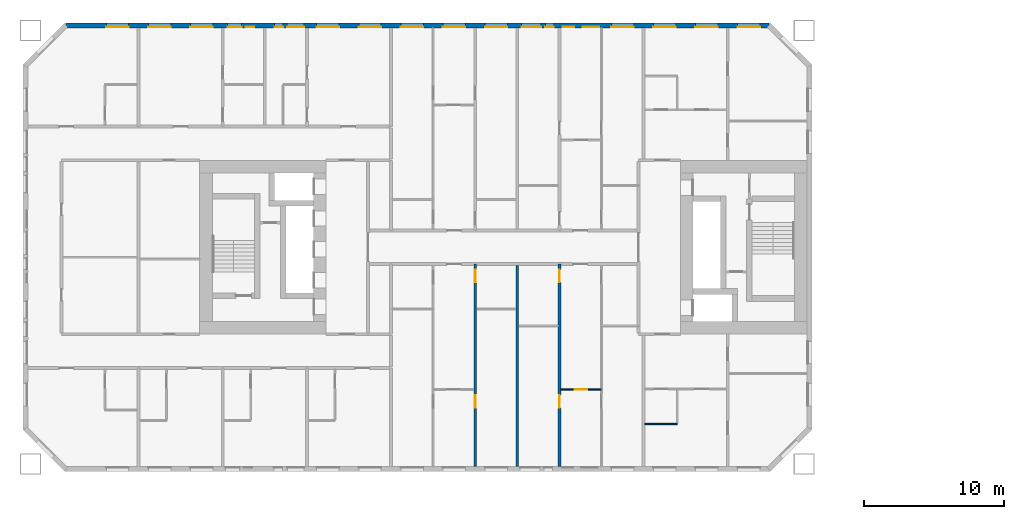
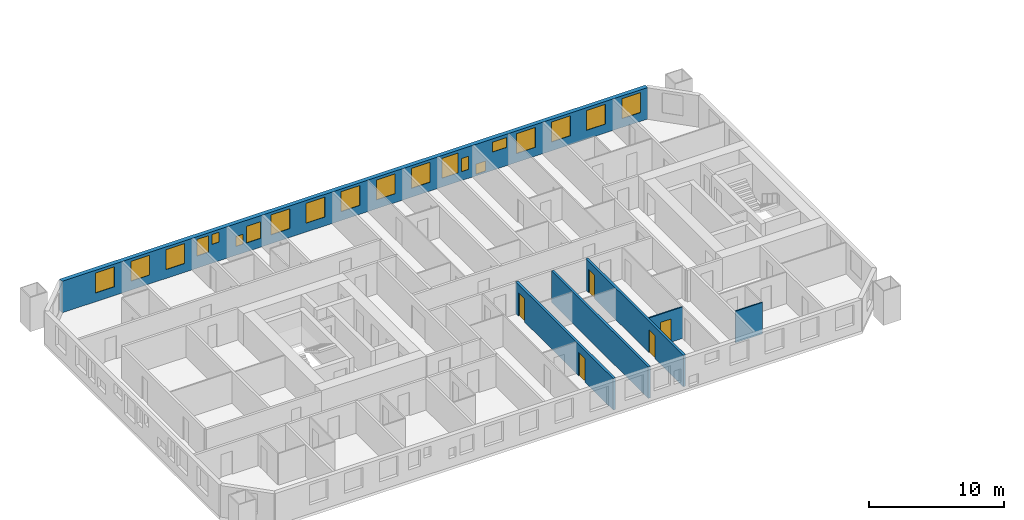
# One storey, part 6 of 17: 20 windows, 6 walls, 5 doors, 25 openings.
"""IFC4 building model written with IfcOpenShell, lengths in metres."""

from ifc_helpers import new_model, si_unit, direction, frame, frame_2d, origin, place, context, subcontext, project, spatial, rectangle, extrude, material, layer, layer_set, type_object, element, fill, save


model = new_model("IFC4")

# Units and contexts
model_context = context("Model", 3, precision=1e-05, world=origin(), true_north=direction((0.0, 1.0)))
body_context = subcontext(model_context, "Body", "Model", "MODEL_VIEW")
ifc_project = project(units=[si_unit("LENGTHUNIT", "METRE"), si_unit("AREAUNIT", "SQUARE_METRE"), si_unit("VOLUMEUNIT", "CUBIC_METRE"), si_unit("PLANEANGLEUNIT", "RADIAN"), si_unit("MASSUNIT", "GRAM", prefix="KILO")], contexts=[model_context])

# Site, building, storey
site_placement = place(None, origin())
site = spatial("IfcSite", under=ifc_project, at=site_placement, CompositionType="ELEMENT")
building_placement = place(site_placement, origin())
building = spatial("IfcBuilding", under=site, at=building_placement, Name="Tuart Gate Housing", CompositionType="ELEMENT")
storey_placement = place(building_placement, frame((0.0, 0.0, 28.800048828125)))
storey = spatial("IfcBuildingStorey", under=building, at=storey_placement, Name="L07", CompositionType="ELEMENT", Elevation=28.800048828125)

# Wall, openings, windows
ifc_material_1 = material(Name="Brick", Category="masonry")
ifc_layer_1 = layer(ifc_material_1, 0.360107421875)
ifc_layer_set_1 = layer_set([ifc_layer_1], Name="Brick pier and spandrel wall 360")
wall_type_1 = type_object("IfcWallType", Name="Brick pier and spandrel wall 360", PredefinedType="STANDARD", material=ifc_layer_set_1)
wall_1_placement = place(storey_placement, frame((72.92529296875, 85.820068359375, 0.0), z_axis=(0.0, 0.0, 1.0), x_axis=(-1.0, 0.0, 0.0)))
wall_1 = element("IfcWall", 1, at=wall_1_placement, inside=storey, type_object=wall_type_1, Name="External wall A-N L07", PredefinedType="STANDARD", context=body_context, shape_type="SweptSolid", body=[
    extrude(rectangle(XDim=50.100830078125, YDim=0.360107421875, at=frame_2d((25.05029296875, 0.0))), origin(), (0.0, 0.0, 1.0), 2.849853515625),
])
opening_1_placement = place(wall_1_placement, frame((0.62548828125, 0.0, 0.800048828125)))
opening_1 = element("IfcOpeningElement", 2, at=opening_1_placement, cuts=wall_1, Name="Opening W1", PredefinedType="OPENING", context=body_context, shape_type="SweptSolid", body=[
    extrude(rectangle(XDim=1.60009765625, YDim=1.800048828125, at=frame_2d((0.800048828125, 0.89990234375))), frame((0.0, 0.18994140625, 0.0), z_axis=(0.0, -1.0, 0.0), x_axis=(1.0, 0.0, 0.0)), (0.0, 0.0, 1.0), 0.380126953125),
])
opening_2_placement = place(wall_1_placement, frame((3.62548828125, 0.0, 0.800048828125)))
opening_2 = element("IfcOpeningElement", 3, at=opening_2_placement, cuts=wall_1, Name="Opening W1", PredefinedType="OPENING", context=body_context, shape_type="SweptSolid", body=[
    extrude(rectangle(XDim=1.60009765625, YDim=1.800048828125, at=frame_2d((0.800048828125, 0.89990234375))), frame((0.0, 0.18994140625, 0.0), z_axis=(0.0, -1.0, 0.0), x_axis=(1.0, 0.0, 0.0)), (0.0, 0.0, 1.0), 0.380126953125),
])
opening_3_placement = place(wall_1_placement, frame((6.62548828125, 0.0, 0.800048828125)))
opening_3 = element("IfcOpeningElement", 4, at=opening_3_placement, cuts=wall_1, Name="Opening W1", PredefinedType="OPENING", context=body_context, shape_type="SweptSolid", body=[
    extrude(rectangle(XDim=1.60009765625, YDim=1.800048828125, at=frame_2d((0.800048828125, 0.89990234375))), frame((0.0, 0.18994140625, 0.0), z_axis=(0.0, -1.0, 0.0), x_axis=(1.0, 0.0, 0.0)), (0.0, 0.0, 1.0), 0.380126953125),
])
opening_4_placement = place(wall_1_placement, frame((9.62548828125, 0.0, 0.800048828125)))
opening_4 = element("IfcOpeningElement", 5, at=opening_4_placement, cuts=wall_1, Name="Opening W1", PredefinedType="OPENING", context=body_context, shape_type="SweptSolid", body=[
    extrude(rectangle(XDim=1.60009765625, YDim=1.800048828125, at=frame_2d((0.800048828125, 0.89990234375))), frame((0.0, 0.18994140625, 0.0), z_axis=(0.0, -1.0, 0.0), x_axis=(1.0, 0.0, 0.0)), (0.0, 0.0, 1.0), 0.380126953125),
])
opening_5_placement = place(wall_1_placement, frame((12.075439453125, 0.0, 1.64990234375)))
opening_5 = element("IfcOpeningElement", 6, at=opening_5_placement, cuts=wall_1, Name="Opening W1T", PredefinedType="OPENING", context=body_context, shape_type="SweptSolid", body=[
    extrude(rectangle(XDim=1.199951171875, YDim=0.89990234375, at=frame_2d((0.60009765625, 0.449951171875))), frame((0.0, 0.18994140625, 0.0), z_axis=(0.0, -1.0, 0.0), x_axis=(1.0, 0.0, 0.0)), (0.0, 0.0, 1.0), 0.380126953125),
])
opening_6_placement = place(wall_1_placement, frame((15.325439453125, 0.0, 0.800048828125)))
opening_6 = element("IfcOpeningElement", 7, at=opening_6_placement, cuts=wall_1, Name="Opening W1Q", PredefinedType="OPENING", context=body_context, shape_type="SweptSolid", body=[
    extrude(rectangle(XDim=0.60009765625, YDim=1.199951171875, at=frame_2d((0.300048828125, 0.60009765625))), frame((0.0, 0.18994140625, 0.0), z_axis=(0.0, -1.0, 0.0), x_axis=(1.0, 0.0, 0.0)), (0.0, 0.0, 1.0), 0.380126953125),
])
opening_7_placement = place(wall_1_placement, frame((18.62548828125, 0.0, 0.800048828125)))
opening_7 = element("IfcOpeningElement", 8, at=opening_7_placement, cuts=wall_1, Name="Opening W1", PredefinedType="OPENING", context=body_context, shape_type="SweptSolid", body=[
    extrude(rectangle(XDim=1.60009765625, YDim=1.800048828125, at=frame_2d((0.800048828125, 0.89990234375))), frame((0.0, 0.18994140625, 0.0), z_axis=(0.0, -1.0, 0.0), x_axis=(1.0, 0.0, 0.0)), (0.0, 0.0, 1.0), 0.380126953125),
])
opening_8_placement = place(wall_1_placement, frame((21.62548828125, 0.0, 0.800048828125)))
opening_8 = element("IfcOpeningElement", 9, at=opening_8_placement, cuts=wall_1, Name="Opening W1", PredefinedType="OPENING", context=body_context, shape_type="SweptSolid", body=[
    extrude(rectangle(XDim=1.60009765625, YDim=1.800048828125, at=frame_2d((0.800048828125, 0.89990234375))), frame((0.0, 0.18994140625, 0.0), z_axis=(0.0, -1.0, 0.0), x_axis=(1.0, 0.0, 0.0)), (0.0, 0.0, 1.0), 0.380126953125),
])
opening_9_placement = place(wall_1_placement, frame((24.62548828125, 0.0, 0.800048828125)))
opening_9 = element("IfcOpeningElement", 10, at=opening_9_placement, cuts=wall_1, Name="Opening W1", PredefinedType="OPENING", context=body_context, shape_type="SweptSolid", body=[
    extrude(rectangle(XDim=1.60009765625, YDim=1.800048828125, at=frame_2d((0.800048828125, 0.89990234375))), frame((0.0, 0.18994140625, 0.0), z_axis=(0.0, -1.0, 0.0), x_axis=(1.0, 0.0, 0.0)), (0.0, 0.0, 1.0), 0.380126953125),
])
opening_10_placement = place(wall_1_placement, frame((27.62548828125, 0.0, 0.800048828125)))
opening_10 = element("IfcOpeningElement", 11, at=opening_10_placement, cuts=wall_1, Name="Opening W1", PredefinedType="OPENING", context=body_context, shape_type="SweptSolid", body=[
    extrude(rectangle(XDim=1.60009765625, YDim=1.800048828125, at=frame_2d((0.800048828125, 0.89990234375))), frame((0.0, 0.18994140625, 0.0), z_axis=(0.0, -1.0, 0.0), x_axis=(1.0, 0.0, 0.0)), (0.0, 0.0, 1.0), 0.380126953125),
])
opening_11_placement = place(wall_1_placement, frame((30.62548828125, 0.0, 0.800048828125)))
opening_11 = element("IfcOpeningElement", 12, at=opening_11_placement, cuts=wall_1, Name="Opening W1", PredefinedType="OPENING", context=body_context, shape_type="SweptSolid", body=[
    extrude(rectangle(XDim=1.60009765625, YDim=1.800048828125, at=frame_2d((0.800048828125, 0.89990234375))), frame((0.0, 0.18994140625, 0.0), z_axis=(0.0, -1.0, 0.0), x_axis=(1.0, 0.0, 0.0)), (0.0, 0.0, 1.0), 0.380126953125),
])
opening_12_placement = place(wall_1_placement, frame((33.12548828125, 0.0, 0.800048828125)))
opening_12 = element("IfcOpeningElement", 13, at=opening_12_placement, cuts=wall_1, Name="Opening W1H", PredefinedType="OPENING", context=body_context, shape_type="SweptSolid", body=[
    extrude(rectangle(XDim=1.199951171875, YDim=1.5, at=frame_2d((0.60009765625, 0.75))), frame((0.0, 0.18994140625, 0.0), z_axis=(0.0, -1.0, 0.0), x_axis=(1.0, 0.0, 0.0)), (0.0, 0.0, 1.0), 0.380126953125),
])
opening_13_placement = place(wall_1_placement, frame((36.67529296875, 0.0, 1.699951171875)))
opening_13 = element("IfcOpeningElement", 14, at=opening_13_placement, cuts=wall_1, Name="Opening W1W", PredefinedType="OPENING", context=body_context, shape_type="SweptSolid", body=[
    extrude(rectangle(XDim=0.60009765625, YDim=0.89990234375, at=frame_2d((0.300048828125, 0.449951171875))), frame((0.0, 0.18994140625, 0.0), z_axis=(0.0, -1.0, 0.0), x_axis=(1.0, 0.0, 0.0)), (0.0, 0.0, 1.0), 0.380126953125),
])
opening_14_placement = place(wall_1_placement, frame((39.62548828125, 0.0, 0.800048828125)))
opening_14 = element("IfcOpeningElement", 15, at=opening_14_placement, cuts=wall_1, Name="Opening W1", PredefinedType="OPENING", context=body_context, shape_type="SweptSolid", body=[
    extrude(rectangle(XDim=1.60009765625, YDim=1.800048828125, at=frame_2d((0.800048828125, 0.89990234375))), frame((0.0, 0.18994140625, 0.0), z_axis=(0.0, -1.0, 0.0), x_axis=(1.0, 0.0, 0.0)), (0.0, 0.0, 1.0), 0.380126953125),
])
opening_15_placement = place(wall_1_placement, frame((42.62548828125, 0.0, 0.800048828125)))
opening_15 = element("IfcOpeningElement", 16, at=opening_15_placement, cuts=wall_1, Name="Opening W1", PredefinedType="OPENING", context=body_context, shape_type="SweptSolid", body=[
    extrude(rectangle(XDim=1.60009765625, YDim=1.800048828125, at=frame_2d((0.800048828125, 0.89990234375))), frame((0.0, 0.18994140625, 0.0), z_axis=(0.0, -1.0, 0.0), x_axis=(1.0, 0.0, 0.0)), (0.0, 0.0, 1.0), 0.380126953125),
])
opening_16_placement = place(wall_1_placement, frame((45.62548828125, 0.0, 0.800048828125)))
opening_16 = element("IfcOpeningElement", 17, at=opening_16_placement, cuts=wall_1, Name="Opening W1", PredefinedType="OPENING", context=body_context, shape_type="SweptSolid", body=[
    extrude(rectangle(XDim=1.60009765625, YDim=1.800048828125, at=frame_2d((0.800048828125, 0.89990234375))), frame((0.0, 0.18994140625, 0.0), z_axis=(0.0, -1.0, 0.0), x_axis=(1.0, 0.0, 0.0)), (0.0, 0.0, 1.0), 0.380126953125),
])
opening_17_placement = place(wall_1_placement, frame((13.87548828125, 0.0, 0.14990234375)))
opening_17 = element("IfcOpeningElement", 18, at=opening_17_placement, cuts=wall_1, Name="Opening W1V", PredefinedType="OPENING", context=body_context, shape_type="SweptSolid", body=[
    extrude(rectangle(XDim=0.800048828125, YDim=0.89990234375, at=frame_2d((0.39990234375, 0.449951171875))), frame((0.0, 0.18994140625, 0.0), z_axis=(0.0, -1.0, 0.0), x_axis=(1.0, 0.0, 0.0)), (0.0, 0.0, 1.0), 0.380126953125),
])
opening_18_placement = place(wall_1_placement, frame((16.225341796875, 0.0, 0.800048828125)))
opening_18 = element("IfcOpeningElement", 19, at=opening_18_placement, cuts=wall_1, Name="Opening W1A", PredefinedType="OPENING", context=body_context, shape_type="SweptSolid", body=[
    extrude(rectangle(XDim=1.39990234375, YDim=1.800048828125, at=frame_2d((0.699951171875, 0.89990234375))), frame((0.0, 0.18994140625, 0.0), z_axis=(0.0, -1.0, 0.0), x_axis=(1.0, 0.0, 0.0)), (0.0, 0.0, 1.0), 0.380126953125),
])
opening_19_placement = place(wall_1_placement, frame((34.62548828125, 0.0, 0.800048828125)))
opening_19 = element("IfcOpeningElement", 20, at=opening_19_placement, cuts=wall_1, Name="Opening W1W", PredefinedType="OPENING", context=body_context, shape_type="SweptSolid", body=[
    extrude(rectangle(XDim=0.60009765625, YDim=0.89990234375, at=frame_2d((0.300048828125, 0.449951171875))), frame((0.0, 0.18994140625, 0.0), z_axis=(0.0, -1.0, 0.0), x_axis=(1.0, 0.0, 0.0)), (0.0, 0.0, 1.0), 0.380126953125),
])
opening_20_placement = place(wall_1_placement, frame((37.575439453125, 0.0, 1.10009765625)))
opening_20 = element("IfcOpeningElement", 21, at=opening_20_placement, cuts=wall_1, Name="Opening W1I", PredefinedType="OPENING", context=body_context, shape_type="SweptSolid", body=[
    extrude(rectangle(XDim=1.0, YDim=1.5, at=frame_2d((0.5, 0.75))), frame((0.0, 0.18994140625, 0.0), z_axis=(0.0, -1.0, 0.0), x_axis=(1.0, 0.0, 0.0)), (0.0, 0.0, 1.0), 0.380126953125),
])
ifc_material_2 = material(Name="Aluminium frame with clear glass", Category="aluminium")
window_type_1 = type_object("IfcWindowType", Name="Punched window 1000 x 1500", PartitioningType="SINGLE_PANEL", PredefinedType="WINDOW", material=ifc_material_2)
window_1_placement = place(opening_20_placement, origin())
window_1 = element("IfcWindow", 22, at=window_1_placement, inside=storey, type_object=window_type_1, Name="Window W1I", OverallHeight=1.5, OverallWidth=1.0, PartitioningType="SINGLE_PANEL", PredefinedType="WINDOW", context=body_context, shape_type="SweptSolid", body=[
    extrude(rectangle(XDim=1.0, YDim=1.5, at=frame_2d((0.5, 0.75))), frame((0.0, 0.150146484375, 0.0), z_axis=(0.0, -1.0, 0.0), x_axis=(1.0, 0.0, 0.0)), (0.0, 0.0, 1.0), 0.06005859375),
])
fill(opening_20, window_1)
ifc_material_3 = material(Name="Aluminium frame with clear glass", Category="aluminium")
window_type_2 = type_object("IfcWindowType", Name="Punched window 1200 x 1500", PartitioningType="SINGLE_PANEL", PredefinedType="WINDOW", material=ifc_material_3)
window_2_placement = place(opening_12_placement, origin())
window_2 = element("IfcWindow", 23, at=window_2_placement, inside=storey, type_object=window_type_2, Name="Window W1H", OverallHeight=1.5, OverallWidth=1.199951171875, PartitioningType="SINGLE_PANEL", PredefinedType="WINDOW", context=body_context, shape_type="SweptSolid", body=[
    extrude(rectangle(XDim=1.199951171875, YDim=1.5, at=frame_2d((0.60009765625, 0.75))), frame((0.0, 0.150146484375, 0.0), z_axis=(0.0, -1.0, 0.0), x_axis=(1.0, 0.0, 0.0)), (0.0, 0.0, 1.0), 0.06005859375),
])
fill(opening_12, window_2)
ifc_material_4 = material(Name="Aluminium frame with clear glass", Category="aluminium")
window_type_3 = type_object("IfcWindowType", Name="Punched window 1200 x 900", PartitioningType="SINGLE_PANEL", PredefinedType="WINDOW", material=ifc_material_4)
window_3_placement = place(opening_5_placement, origin())
window_3 = element("IfcWindow", 24, at=window_3_placement, inside=storey, type_object=window_type_3, Name="Window W1T", OverallHeight=0.89990234375, OverallWidth=1.199951171875, PartitioningType="SINGLE_PANEL", PredefinedType="WINDOW", context=body_context, shape_type="SweptSolid", body=[
    extrude(rectangle(XDim=1.199951171875, YDim=0.89990234375, at=frame_2d((0.60009765625, 0.449951171875))), frame((0.0, 0.150146484375, 0.0), z_axis=(0.0, -1.0, 0.0), x_axis=(1.0, 0.0, 0.0)), (0.0, 0.0, 1.0), 0.06005859375),
])
fill(opening_5, window_3)
ifc_material_5 = material(Name="Aluminium frame with clear glass", Category="aluminium")
window_type_4 = type_object("IfcWindowType", Name="Punched window 1400 x 1800", PartitioningType="SINGLE_PANEL", PredefinedType="WINDOW", material=ifc_material_5)
window_4_placement = place(opening_18_placement, origin())
window_4 = element("IfcWindow", 25, at=window_4_placement, inside=storey, type_object=window_type_4, Name="Window W1A", OverallHeight=1.800048828125, OverallWidth=1.39990234375, PartitioningType="SINGLE_PANEL", PredefinedType="WINDOW", context=body_context, shape_type="SweptSolid", body=[
    extrude(rectangle(XDim=1.39990234375, YDim=1.800048828125, at=frame_2d((0.699951171875, 0.89990234375))), frame((0.0, 0.150146484375, 0.0), z_axis=(0.0, -1.0, 0.0), x_axis=(1.0, 0.0, 0.0)), (0.0, 0.0, 1.0), 0.06005859375),
])
fill(opening_18, window_4)
ifc_material_6 = material(Name="Aluminium frame with clear glass", Category="aluminium")
window_type_5 = type_object("IfcWindowType", Name="Punched window 1600 x 1800", PartitioningType="SINGLE_PANEL", PredefinedType="WINDOW", material=ifc_material_6)
window_5_placement = place(opening_1_placement, origin())
window_5 = element("IfcWindow", 26, at=window_5_placement, inside=storey, type_object=window_type_5, Name="Window W1", OverallHeight=1.800048828125, OverallWidth=1.60009765625, PartitioningType="SINGLE_PANEL", PredefinedType="WINDOW", context=body_context, shape_type="SweptSolid", body=[
    extrude(rectangle(XDim=1.60009765625, YDim=1.800048828125, at=frame_2d((0.800048828125, 0.89990234375))), frame((0.0, 0.150146484375, 0.0), z_axis=(0.0, -1.0, 0.0), x_axis=(1.0, 0.0, 0.0)), (0.0, 0.0, 1.0), 0.06005859375),
])
fill(opening_1, window_5)
window_6_placement = place(opening_2_placement, origin())
window_6 = element("IfcWindow", 27, at=window_6_placement, inside=storey, type_object=window_type_5, Name="Window W1", OverallHeight=1.800048828125, OverallWidth=1.60009765625, PartitioningType="SINGLE_PANEL", PredefinedType="WINDOW", context=body_context, shape_type="SweptSolid", body=[
    extrude(rectangle(XDim=1.60009765625, YDim=1.800048828125, at=frame_2d((0.800048828125, 0.89990234375))), frame((0.0, 0.150146484375, 0.0), z_axis=(0.0, -1.0, 0.0), x_axis=(1.0, 0.0, 0.0)), (0.0, 0.0, 1.0), 0.06005859375),
])
fill(opening_2, window_6)
window_7_placement = place(opening_3_placement, origin())
window_7 = element("IfcWindow", 28, at=window_7_placement, inside=storey, type_object=window_type_5, Name="Window W1", OverallHeight=1.800048828125, OverallWidth=1.60009765625, PartitioningType="SINGLE_PANEL", PredefinedType="WINDOW", context=body_context, shape_type="SweptSolid", body=[
    extrude(rectangle(XDim=1.60009765625, YDim=1.800048828125, at=frame_2d((0.800048828125, 0.89990234375))), frame((0.0, 0.150146484375, 0.0), z_axis=(0.0, -1.0, 0.0), x_axis=(1.0, 0.0, 0.0)), (0.0, 0.0, 1.0), 0.06005859375),
])
fill(opening_3, window_7)
window_8_placement = place(opening_4_placement, origin())
window_8 = element("IfcWindow", 29, at=window_8_placement, inside=storey, type_object=window_type_5, Name="Window W1", OverallHeight=1.800048828125, OverallWidth=1.60009765625, PartitioningType="SINGLE_PANEL", PredefinedType="WINDOW", context=body_context, shape_type="SweptSolid", body=[
    extrude(rectangle(XDim=1.60009765625, YDim=1.800048828125, at=frame_2d((0.800048828125, 0.89990234375))), frame((0.0, 0.150146484375, 0.0), z_axis=(0.0, -1.0, 0.0), x_axis=(1.0, 0.0, 0.0)), (0.0, 0.0, 1.0), 0.06005859375),
])
fill(opening_4, window_8)
window_9_placement = place(opening_7_placement, origin())
window_9 = element("IfcWindow", 30, at=window_9_placement, inside=storey, type_object=window_type_5, Name="Window W1", OverallHeight=1.800048828125, OverallWidth=1.60009765625, PartitioningType="SINGLE_PANEL", PredefinedType="WINDOW", context=body_context, shape_type="SweptSolid", body=[
    extrude(rectangle(XDim=1.60009765625, YDim=1.800048828125, at=frame_2d((0.800048828125, 0.89990234375))), frame((0.0, 0.150146484375, 0.0), z_axis=(0.0, -1.0, 0.0), x_axis=(1.0, 0.0, 0.0)), (0.0, 0.0, 1.0), 0.06005859375),
])
fill(opening_7, window_9)
window_10_placement = place(opening_8_placement, origin())
window_10 = element("IfcWindow", 31, at=window_10_placement, inside=storey, type_object=window_type_5, Name="Window W1", OverallHeight=1.800048828125, OverallWidth=1.60009765625, PartitioningType="SINGLE_PANEL", PredefinedType="WINDOW", context=body_context, shape_type="SweptSolid", body=[
    extrude(rectangle(XDim=1.60009765625, YDim=1.800048828125, at=frame_2d((0.800048828125, 0.89990234375))), frame((0.0, 0.150146484375, 0.0), z_axis=(0.0, -1.0, 0.0), x_axis=(1.0, 0.0, 0.0)), (0.0, 0.0, 1.0), 0.06005859375),
])
fill(opening_8, window_10)
window_11_placement = place(opening_9_placement, origin())
window_11 = element("IfcWindow", 32, at=window_11_placement, inside=storey, type_object=window_type_5, Name="Window W1", OverallHeight=1.800048828125, OverallWidth=1.60009765625, PartitioningType="SINGLE_PANEL", PredefinedType="WINDOW", context=body_context, shape_type="SweptSolid", body=[
    extrude(rectangle(XDim=1.60009765625, YDim=1.800048828125, at=frame_2d((0.800048828125, 0.89990234375))), frame((0.0, 0.150146484375, 0.0), z_axis=(0.0, -1.0, 0.0), x_axis=(1.0, 0.0, 0.0)), (0.0, 0.0, 1.0), 0.06005859375),
])
fill(opening_9, window_11)
window_12_placement = place(opening_10_placement, origin())
window_12 = element("IfcWindow", 33, at=window_12_placement, inside=storey, type_object=window_type_5, Name="Window W1", OverallHeight=1.800048828125, OverallWidth=1.60009765625, PartitioningType="SINGLE_PANEL", PredefinedType="WINDOW", context=body_context, shape_type="SweptSolid", body=[
    extrude(rectangle(XDim=1.60009765625, YDim=1.800048828125, at=frame_2d((0.800048828125, 0.89990234375))), frame((0.0, 0.150146484375, 0.0), z_axis=(0.0, -1.0, 0.0), x_axis=(1.0, 0.0, 0.0)), (0.0, 0.0, 1.0), 0.06005859375),
])
fill(opening_10, window_12)
window_13_placement = place(opening_11_placement, origin())
window_13 = element("IfcWindow", 34, at=window_13_placement, inside=storey, type_object=window_type_5, Name="Window W1", OverallHeight=1.800048828125, OverallWidth=1.60009765625, PartitioningType="SINGLE_PANEL", PredefinedType="WINDOW", context=body_context, shape_type="SweptSolid", body=[
    extrude(rectangle(XDim=1.60009765625, YDim=1.800048828125, at=frame_2d((0.800048828125, 0.89990234375))), frame((0.0, 0.150146484375, 0.0), z_axis=(0.0, -1.0, 0.0), x_axis=(1.0, 0.0, 0.0)), (0.0, 0.0, 1.0), 0.06005859375),
])
fill(opening_11, window_13)
window_14_placement = place(opening_14_placement, origin())
window_14 = element("IfcWindow", 35, at=window_14_placement, inside=storey, type_object=window_type_5, Name="Window W1", OverallHeight=1.800048828125, OverallWidth=1.60009765625, PartitioningType="SINGLE_PANEL", PredefinedType="WINDOW", context=body_context, shape_type="SweptSolid", body=[
    extrude(rectangle(XDim=1.60009765625, YDim=1.800048828125, at=frame_2d((0.800048828125, 0.89990234375))), frame((0.0, 0.150146484375, 0.0), z_axis=(0.0, -1.0, 0.0), x_axis=(1.0, 0.0, 0.0)), (0.0, 0.0, 1.0), 0.06005859375),
])
fill(opening_14, window_14)
window_15_placement = place(opening_15_placement, origin())
window_15 = element("IfcWindow", 36, at=window_15_placement, inside=storey, type_object=window_type_5, Name="Window W1", OverallHeight=1.800048828125, OverallWidth=1.60009765625, PartitioningType="SINGLE_PANEL", PredefinedType="WINDOW", context=body_context, shape_type="SweptSolid", body=[
    extrude(rectangle(XDim=1.60009765625, YDim=1.800048828125, at=frame_2d((0.800048828125, 0.89990234375))), frame((0.0, 0.150146484375, 0.0), z_axis=(0.0, -1.0, 0.0), x_axis=(1.0, 0.0, 0.0)), (0.0, 0.0, 1.0), 0.06005859375),
])
fill(opening_15, window_15)
window_16_placement = place(opening_16_placement, origin())
window_16 = element("IfcWindow", 37, at=window_16_placement, inside=storey, type_object=window_type_5, Name="Window W1", OverallHeight=1.800048828125, OverallWidth=1.60009765625, PartitioningType="SINGLE_PANEL", PredefinedType="WINDOW", context=body_context, shape_type="SweptSolid", body=[
    extrude(rectangle(XDim=1.60009765625, YDim=1.800048828125, at=frame_2d((0.800048828125, 0.89990234375))), frame((0.0, 0.150146484375, 0.0), z_axis=(0.0, -1.0, 0.0), x_axis=(1.0, 0.0, 0.0)), (0.0, 0.0, 1.0), 0.06005859375),
])
fill(opening_16, window_16)
ifc_material_7 = material(Name="Aluminium frame with clear glass", Category="aluminium")
window_type_6 = type_object("IfcWindowType", Name="Punched window 600 x 1200", PartitioningType="SINGLE_PANEL", PredefinedType="WINDOW", material=ifc_material_7)
window_17_placement = place(opening_6_placement, origin())
window_17 = element("IfcWindow", 38, at=window_17_placement, inside=storey, type_object=window_type_6, Name="Window W1Q", OverallHeight=1.199951171875, OverallWidth=0.60009765625, PartitioningType="SINGLE_PANEL", PredefinedType="WINDOW", context=body_context, shape_type="SweptSolid", body=[
    extrude(rectangle(XDim=0.60009765625, YDim=1.199951171875, at=frame_2d((0.300048828125, 0.60009765625))), frame((0.0, 0.150146484375, 0.0), z_axis=(0.0, -1.0, 0.0), x_axis=(1.0, 0.0, 0.0)), (0.0, 0.0, 1.0), 0.06005859375),
])
fill(opening_6, window_17)
ifc_material_8 = material(Name="Aluminium frame with clear glass", Category="aluminium")
window_type_7 = type_object("IfcWindowType", Name="Punched window 600 x 900", PartitioningType="SINGLE_PANEL", PredefinedType="WINDOW", material=ifc_material_8)
window_18_placement = place(opening_13_placement, origin())
window_18 = element("IfcWindow", 39, at=window_18_placement, inside=storey, type_object=window_type_7, Name="Window W1W", OverallHeight=0.89990234375, OverallWidth=0.60009765625, PartitioningType="SINGLE_PANEL", PredefinedType="WINDOW", context=body_context, shape_type="SweptSolid", body=[
    extrude(rectangle(XDim=0.60009765625, YDim=0.89990234375, at=frame_2d((0.300048828125, 0.449951171875))), frame((0.0, 0.150146484375, 0.0), z_axis=(0.0, -1.0, 0.0), x_axis=(1.0, 0.0, 0.0)), (0.0, 0.0, 1.0), 0.06005859375),
])
fill(opening_13, window_18)
window_19_placement = place(opening_19_placement, origin())
window_19 = element("IfcWindow", 40, at=window_19_placement, inside=storey, type_object=window_type_7, Name="Window W1W", OverallHeight=0.89990234375, OverallWidth=0.60009765625, PartitioningType="SINGLE_PANEL", PredefinedType="WINDOW", context=body_context, shape_type="SweptSolid", body=[
    extrude(rectangle(XDim=0.60009765625, YDim=0.89990234375, at=frame_2d((0.300048828125, 0.449951171875))), frame((0.0, 0.150146484375, 0.0), z_axis=(0.0, -1.0, 0.0), x_axis=(1.0, 0.0, 0.0)), (0.0, 0.0, 1.0), 0.06005859375),
])
fill(opening_19, window_19)
ifc_material_9 = material(Name="Aluminium frame with clear glass", Category="aluminium")
window_type_8 = type_object("IfcWindowType", Name="Punched window 800 x 900", PartitioningType="SINGLE_PANEL", PredefinedType="WINDOW", material=ifc_material_9)
window_20_placement = place(opening_17_placement, origin())
window_20 = element("IfcWindow", 41, at=window_20_placement, inside=storey, type_object=window_type_8, Name="Window W1V", OverallHeight=0.89990234375, OverallWidth=0.800048828125, PartitioningType="SINGLE_PANEL", PredefinedType="WINDOW", context=body_context, shape_type="SweptSolid", body=[
    extrude(rectangle(XDim=0.800048828125, YDim=0.89990234375, at=frame_2d((0.39990234375, 0.449951171875))), frame((0.0, 0.150146484375, 0.0), z_axis=(0.0, -1.0, 0.0), x_axis=(1.0, 0.0, 0.0)), (0.0, 0.0, 1.0), 0.06005859375),
])
fill(opening_17, window_20)

# Wall
ifc_material_10 = material(Name="Gypsum board on steel studs", Category="steel")
ifc_layer_2 = layer(ifc_material_10, 0.10009765625)
ifc_layer_set_2 = layer_set([ifc_layer_2], Name="Partition 100")
wall_type_2 = type_object("IfcWallType", Name="Partition 100", PredefinedType="PARTITIONING", material=ifc_layer_set_2)
wall_2_placement = place(storey_placement, frame((64.10009765625, 57.39990234375, 0.0), z_axis=(0.0, 0.0, 1.0), x_axis=(1.0, 0.0, 0.0)))
element("IfcWall", 42, at=wall_2_placement, inside=storey, type_object=wall_type_2, Name="Partition 100", PredefinedType="PARTITIONING", context=body_context, shape_type="SweptSolid", body=[
    extrude(rectangle(XDim=2.2998046875, YDim=0.10009765625, at=frame_2d((1.14990234375, 0.0))), origin(), (0.0, 0.0, 1.0), 2.849853515625),
])

# Wall, opening, door
wall_3_placement = place(storey_placement, frame((58.10009765625, 59.860107421875, 0.0), z_axis=(0.0, 0.0, 1.0), x_axis=(1.0, 0.0, 0.0)))
wall_3 = element("IfcWall", 43, at=wall_3_placement, inside=storey, type_object=wall_type_2, Name="Partition 100", PredefinedType="PARTITIONING", context=body_context, shape_type="SweptSolid", body=[
    extrude(rectangle(XDim=2.89990234375, YDim=0.10009765625, at=frame_2d((1.449951171875, 0.0))), origin(), (0.0, 0.0, 1.0), 2.849853515625),
])
opening_21_placement = place(wall_3_placement, frame((1.0, 0.0, 0.0)))
opening_21 = element("IfcOpeningElement", 44, at=opening_21_placement, cuts=wall_3, Name="Opening D526", PredefinedType="OPENING", context=body_context, shape_type="SweptSolid", body=[
    extrude(rectangle(XDim=0.89990234375, YDim=2.10009765625, at=frame_2d((0.449951171875, 1.050048828125))), frame((0.0, 0.06005859375, 0.0), z_axis=(0.0, -1.0, 0.0), x_axis=(1.0, 0.0, 0.0)), (0.0, 0.0, 1.0), 0.1201171875),
])
ifc_material_11 = material(Name="Timber door leaf in steel frame", Category="steel")
door_type_1 = type_object("IfcDoorType", Name="Internal door 900 RH", OperationType="SINGLE_SWING_RIGHT", PredefinedType="DOOR", material=ifc_material_11)
door_1_placement = place(opening_21_placement, origin())
door_1 = element("IfcDoor", 45, at=door_1_placement, inside=storey, type_object=door_type_1, Name="Internal door", OperationType="SINGLE_SWING_RIGHT", OverallHeight=2.10009765625, OverallWidth=0.89990234375, PredefinedType="DOOR", context=body_context, shape_type="SweptSolid", body=[
    extrude(rectangle(XDim=0.89990234375, YDim=2.10009765625, at=frame_2d((0.449951171875, 1.050048828125))), frame((0.0, 0.02490234375, 0.0), z_axis=(0.0, -1.0, 0.0), x_axis=(1.0, 0.0, 0.0)), (0.0, 0.0, 1.0), 0.050048828125),
])
fill(opening_21, door_1)

# Wall, openings, doors
ifc_material_12 = material(Name="Concrete C40", Category="concrete")
ifc_layer_3 = layer(ifc_material_12, 0.199951171875)
ifc_layer_set_3 = layer_set([ifc_layer_3], Name="Party wall concrete C40 200")
wall_type_3 = type_object("IfcWallType", Name="Party wall concrete C40 200", PredefinedType="SOLIDWALL", material=ifc_layer_set_3)
wall_4_placement = place(storey_placement, frame((52.0, 54.360107421875, 0.0), z_axis=(0.0, 0.0, 1.0), x_axis=(0.0, 1.0, 0.0)))
wall_4 = element("IfcWall", 46, at=wall_4_placement, inside=storey, type_object=wall_type_3, Name="Party wall concrete C40 200", PredefinedType="SOLIDWALL", context=body_context, shape_type="SweptSolid", body=[
    extrude(rectangle(XDim=14.43994140625, YDim=0.199951171875, at=frame_2d((7.219970703125, 0.0))), origin(), (0.0, 0.0, 1.0), 2.849853515625),
])
opening_22_placement = place(wall_4_placement, frame((4.199951171875, 0.0, 0.0)))
opening_22 = element("IfcOpeningElement", 47, at=opening_22_placement, cuts=wall_4, Name="Opening D511", PredefinedType="OPENING", context=body_context, shape_type="SweptSolid", body=[
    extrude(rectangle(XDim=0.89990234375, YDim=2.10009765625, at=frame_2d((0.449951171875, 1.050048828125))), frame((0.0, 0.10986328125, 0.0), z_axis=(0.0, -1.0, 0.0), x_axis=(1.0, 0.0, 0.0)), (0.0, 0.0, 1.0), 0.219970703125),
])
opening_23_placement = place(wall_4_placement, frame((13.139892578125, 0.0, 0.0)))
opening_23 = element("IfcOpeningElement", 48, at=opening_23_placement, cuts=wall_4, Name="Opening D510", PredefinedType="OPENING", context=body_context, shape_type="SweptSolid", body=[
    extrude(rectangle(XDim=0.89990234375, YDim=2.10009765625, at=frame_2d((0.449951171875, 1.050048828125))), frame((0.0, 0.10986328125, 0.0), z_axis=(0.0, -1.0, 0.0), x_axis=(1.0, 0.0, 0.0)), (0.0, 0.0, 1.0), 0.219970703125),
])
ifc_material_13 = material(Name="Timber door leaf in steel frame", Category="steel")
door_type_2 = type_object("IfcDoorType", Name="Bathroom door 900", OperationType="SINGLE_SWING_LEFT", PredefinedType="DOOR", material=ifc_material_13)
door_2_placement = place(opening_23_placement, frame((0.89990234375, 0.0, 0.0), z_axis=(0.0, 0.0, 1.0), x_axis=(-1.0, 0.0, 0.0)))
door_2 = element("IfcDoor", 49, at=door_2_placement, inside=storey, type_object=door_type_2, Name="Bathroom door", OperationType="SINGLE_SWING_LEFT", OverallHeight=2.10009765625, OverallWidth=0.89990234375, PredefinedType="DOOR", context=body_context, shape_type="SweptSolid", body=[
    extrude(rectangle(XDim=0.89990234375, YDim=2.10009765625, at=frame_2d((0.449951171875, 1.050048828125))), frame((0.0, 0.025146484375, 0.0), z_axis=(0.0, -1.0, 0.0), x_axis=(1.0, 0.0, 0.0)), (0.0, 0.0, 1.0), 0.050048828125),
])
fill(opening_23, door_2)
door_3_placement = place(opening_22_placement, frame((0.89990234375, 0.0, 0.0), z_axis=(0.0, 0.0, 1.0), x_axis=(-1.0, 0.0, 0.0)))
door_3 = element("IfcDoor", 50, at=door_3_placement, inside=storey, type_object=door_type_1, Name="Internal door", OperationType="SINGLE_SWING_RIGHT", OverallHeight=2.10009765625, OverallWidth=0.89990234375, PredefinedType="DOOR", context=body_context, shape_type="SweptSolid", body=[
    extrude(rectangle(XDim=0.89990234375, YDim=2.10009765625, at=frame_2d((0.449951171875, 1.050048828125))), frame((0.0, 0.025146484375, 0.0), z_axis=(0.0, -1.0, 0.0), x_axis=(1.0, 0.0, 0.0)), (0.0, 0.0, 1.0), 0.050048828125),
])
fill(opening_22, door_3)

wall_5_placement = place(storey_placement, frame((58.0, 54.360107421875, 0.0), z_axis=(0.0, 0.0, 1.0), x_axis=(0.0, 1.0, 0.0)))
wall_5 = element("IfcWall", 51, at=wall_5_placement, inside=storey, type_object=wall_type_3, Name="Party wall concrete C40 200", PredefinedType="SOLIDWALL", context=body_context, shape_type="SweptSolid", body=[
    extrude(rectangle(XDim=14.43994140625, YDim=0.199951171875, at=frame_2d((7.219970703125, 0.0))), origin(), (0.0, 0.0, 1.0), 2.849853515625),
])
opening_24_placement = place(wall_5_placement, frame((4.199951171875, 0.0, 0.0)))
opening_24 = element("IfcOpeningElement", 52, at=opening_24_placement, cuts=wall_5, Name="Opening D513", PredefinedType="OPENING", context=body_context, shape_type="SweptSolid", body=[
    extrude(rectangle(XDim=0.89990234375, YDim=2.10009765625, at=frame_2d((0.449951171875, 1.050048828125))), frame((0.0, 0.10986328125, 0.0), z_axis=(0.0, -1.0, 0.0), x_axis=(1.0, 0.0, 0.0)), (0.0, 0.0, 1.0), 0.219970703125),
])
opening_25_placement = place(wall_5_placement, frame((13.139892578125, 0.0, 0.0)))
opening_25 = element("IfcOpeningElement", 53, at=opening_25_placement, cuts=wall_5, Name="Opening D512", PredefinedType="OPENING", context=body_context, shape_type="SweptSolid", body=[
    extrude(rectangle(XDim=0.89990234375, YDim=2.10009765625, at=frame_2d((0.449951171875, 1.050048828125))), frame((0.0, 0.10986328125, 0.0), z_axis=(0.0, -1.0, 0.0), x_axis=(1.0, 0.0, 0.0)), (0.0, 0.0, 1.0), 0.219970703125),
])
ifc_material_14 = material(Name="Timber door leaf in steel frame", Category="steel")
door_type_3 = type_object("IfcDoorType", Name="Bathroom door 900 RH", OperationType="SINGLE_SWING_RIGHT", PredefinedType="DOOR", material=ifc_material_14)
door_4_placement = place(opening_25_placement, origin())
door_4 = element("IfcDoor", 54, at=door_4_placement, inside=storey, type_object=door_type_3, Name="Bathroom door", OperationType="SINGLE_SWING_RIGHT", OverallHeight=2.10009765625, OverallWidth=0.89990234375, PredefinedType="DOOR", context=body_context, shape_type="SweptSolid", body=[
    extrude(rectangle(XDim=0.89990234375, YDim=2.10009765625, at=frame_2d((0.449951171875, 1.050048828125))), frame((0.0, 0.02490234375, 0.0), z_axis=(0.0, -1.0, 0.0), x_axis=(1.0, 0.0, 0.0)), (0.0, 0.0, 1.0), 0.050048828125),
])
fill(opening_25, door_4)
ifc_material_15 = material(Name="Timber door leaf in steel frame", Category="steel")
door_type_4 = type_object("IfcDoorType", Name="Internal door 900", OperationType="SINGLE_SWING_LEFT", PredefinedType="DOOR", material=ifc_material_15)
door_5_placement = place(opening_24_placement, origin())
door_5 = element("IfcDoor", 55, at=door_5_placement, inside=storey, type_object=door_type_4, Name="Internal door", OperationType="SINGLE_SWING_LEFT", OverallHeight=2.10009765625, OverallWidth=0.89990234375, PredefinedType="DOOR", context=body_context, shape_type="SweptSolid", body=[
    extrude(rectangle(XDim=0.89990234375, YDim=2.10009765625, at=frame_2d((0.449951171875, 1.050048828125))), frame((0.0, 0.02490234375, 0.0), z_axis=(0.0, -1.0, 0.0), x_axis=(1.0, 0.0, 0.0)), (0.0, 0.0, 1.0), 0.050048828125),
])
fill(opening_24, door_5)

# Wall
ifc_material_16 = material(Name="Concrete masonry 15 MPa", Category="masonry")
ifc_layer_4 = layer(ifc_material_16, 0.199951171875)
ifc_layer_set_4 = layer_set([ifc_layer_4], Name="Party wall masonry 200")
wall_type_4 = type_object("IfcWallType", Name="Party wall masonry 200", PredefinedType="PARTITIONING", material=ifc_layer_set_4)
wall_6_placement = place(storey_placement, frame((55.0, 54.360107421875, 0.0), z_axis=(0.0, 0.0, 1.0), x_axis=(0.0, 1.0, 0.0)))
element("IfcWall", 56, at=wall_6_placement, inside=storey, type_object=wall_type_4, Name="Party wall masonry 200", PredefinedType="PARTITIONING", context=body_context, shape_type="SweptSolid", body=[
    extrude(rectangle(XDim=14.33984375, YDim=0.199951171875, at=frame_2d((7.169921875, 0.0))), origin(), (0.0, 0.0, 1.0), 2.849853515625),
])

save(model, "model.ifc")
